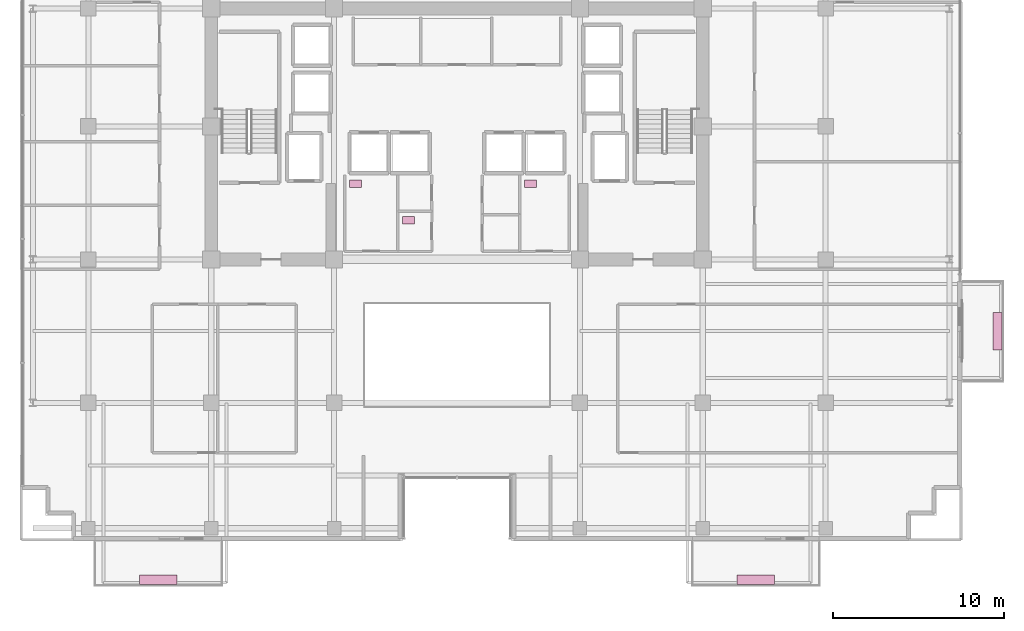
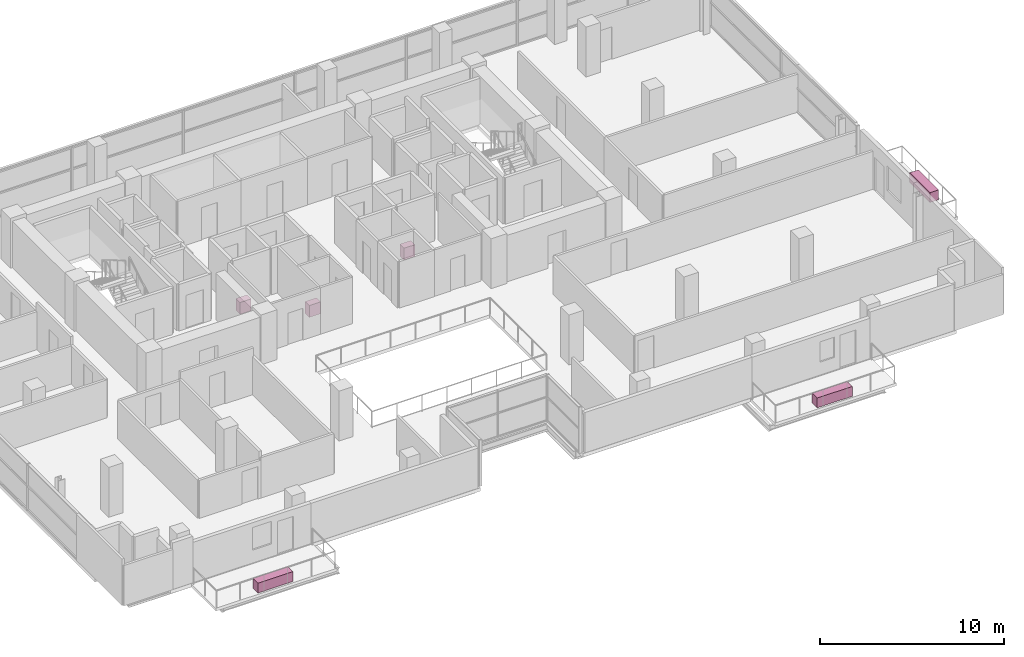
# One storey, part 24 of 24: 6 furnishings.
"""IFC4 building model written with IfcOpenShell, lengths in metres."""

from ifc_helpers import new_model, si_unit, direction, frame, origin, origin_2d, place, context, subcontext, project, spatial, rectangle, extrude, source, transform, mapped, material, type_object, element, save


model = new_model("IFC4")

# Units and contexts
model_context = context("Model", 3, precision=1e-05, world=origin(), true_north=direction((0.0, 1.0)))
body_context = subcontext(model_context, "Body", "Model", "MODEL_VIEW")
ifc_project = project(units=[si_unit("LENGTHUNIT", "METRE"), si_unit("AREAUNIT", "SQUARE_METRE"), si_unit("VOLUMEUNIT", "CUBIC_METRE"), si_unit("PLANEANGLEUNIT", "RADIAN"), si_unit("MASSUNIT", "GRAM", prefix="KILO")], contexts=[model_context])

# Site, building, storey
site_placement = place(None, origin())
site = spatial("IfcSite", under=ifc_project, at=site_placement, CompositionType="ELEMENT")
building_placement = place(site_placement, origin())
building = spatial("IfcBuilding", under=site, at=building_placement, Name="Zarnakvel Exchange Tower", CompositionType="ELEMENT")
storey_placement = place(building_placement, frame((0.0, 0.0, 119.800048828125)))
storey = spatial("IfcBuildingStorey", under=building, at=storey_placement, Name="L33", CompositionType="ELEMENT", Elevation=119.800048828125)

# Furnishings
ifc_material_1 = material(Name="Architectural Bronze Anodised Aluminium", Category="aluminium")
furnishing_element_type_1 = type_object("IfcFurnishingElementType", Name="PLNT-01", material=ifc_material_1)
shared_shape_1 = source(origin(), body_context, "Body", "SweptSolid", [
    extrude(rectangle(XDim=2.199951171875, YDim=0.550048828125, at=origin_2d()), origin(), (0.0, 0.0, 1.0), 0.64990234375),
])
for number, where, z_axis, x_axis, name in (
    (1, (-17.5, -19.969970703125, -0.034912109375), (0.0, 0.0, 1.0), (1.0, 0.0, 0.0), "L33 Balcony Greenery Planter BAL-L33-SW"),
    (2, (17.5, -19.969970703125, -0.034912109375), (0.0, 0.0, 1.0), (1.0, 0.0, 0.0), "L33 Balcony Greenery Planter BAL-L33-SE"),
    (3, (31.669921875, -5.39990234375, -0.034912109375), (0.0, 0.0, 1.0), (0.0, 1.0, 0.0), "L33 Balcony Greenery Planter BAL-L33-E"),
):
    element("IfcFurnishingElement", number, at=place(storey_placement, frame(where, z_axis=z_axis, x_axis=x_axis)), inside=storey, type_object=furnishing_element_type_1, Name=name, ObjectType="PLANTER", context=body_context, shape_type="MappedRepresentation", body=[
        mapped(shared_shape_1, transform((0.0, 0.0, 0.0), x_axis=(1.0, 0.0, 0.0), y_axis=(0.0, 1.0, 0.0), z_axis=(0.0, 0.0, 1.0), scale=1.0)),
    ])
ifc_material_2 = material(Name="Vitreous China Sanitaryware", Category="ceramic")
furnishing_element_type_2 = type_object("IfcFurnishingElementType", Name="SAN-WC", material=ifc_material_2)
shared_shape_2 = source(origin(), body_context, "Body", "SweptSolid", [
    extrude(rectangle(XDim=0.699951171875, YDim=0.449951171875, at=origin_2d()), origin(), (0.0, 0.0, 1.0), 0.780029296875),
])
for number, where, z_axis, x_axis, name in (
    (4, (-5.949951171875, 3.22998046875, 0.0), (0.0, 0.0, 1.0), (1.0, 0.0, 0.0), "L33 Sanitary Fixture (Male Toilet)"),
    (5, (-2.840087890625, 1.10009765625, 0.0), (0.0, 0.0, 1.0), (1.0, 0.0, 0.0), "L33 Sanitary Fixture (Accessible Toilet)"),
    (6, (4.31005859375, 3.22998046875, 0.0), (0.0, 0.0, 1.0), (1.0, 0.0, 0.0), "L33 Sanitary Fixture (Female Toilet)"),
):
    element("IfcFurnishingElement", number, at=place(storey_placement, frame(where, z_axis=z_axis, x_axis=x_axis)), inside=storey, type_object=furnishing_element_type_2, Name=name, ObjectType="SANITARY_FIXTURE", context=body_context, shape_type="MappedRepresentation", body=[
        mapped(shared_shape_2, transform((0.0, 0.0, 0.0), x_axis=(1.0, 0.0, 0.0), y_axis=(0.0, 1.0, 0.0), z_axis=(0.0, 0.0, 1.0), scale=1.0)),
    ])

save(model, "model.ifc")
